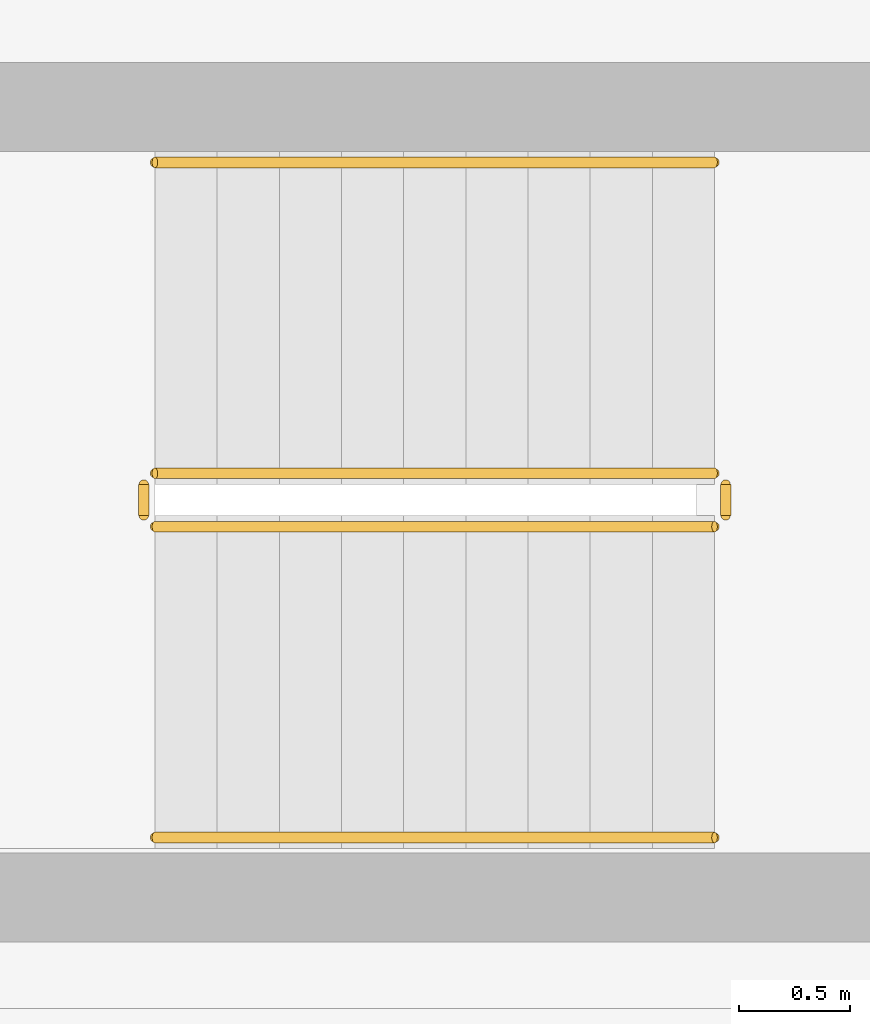
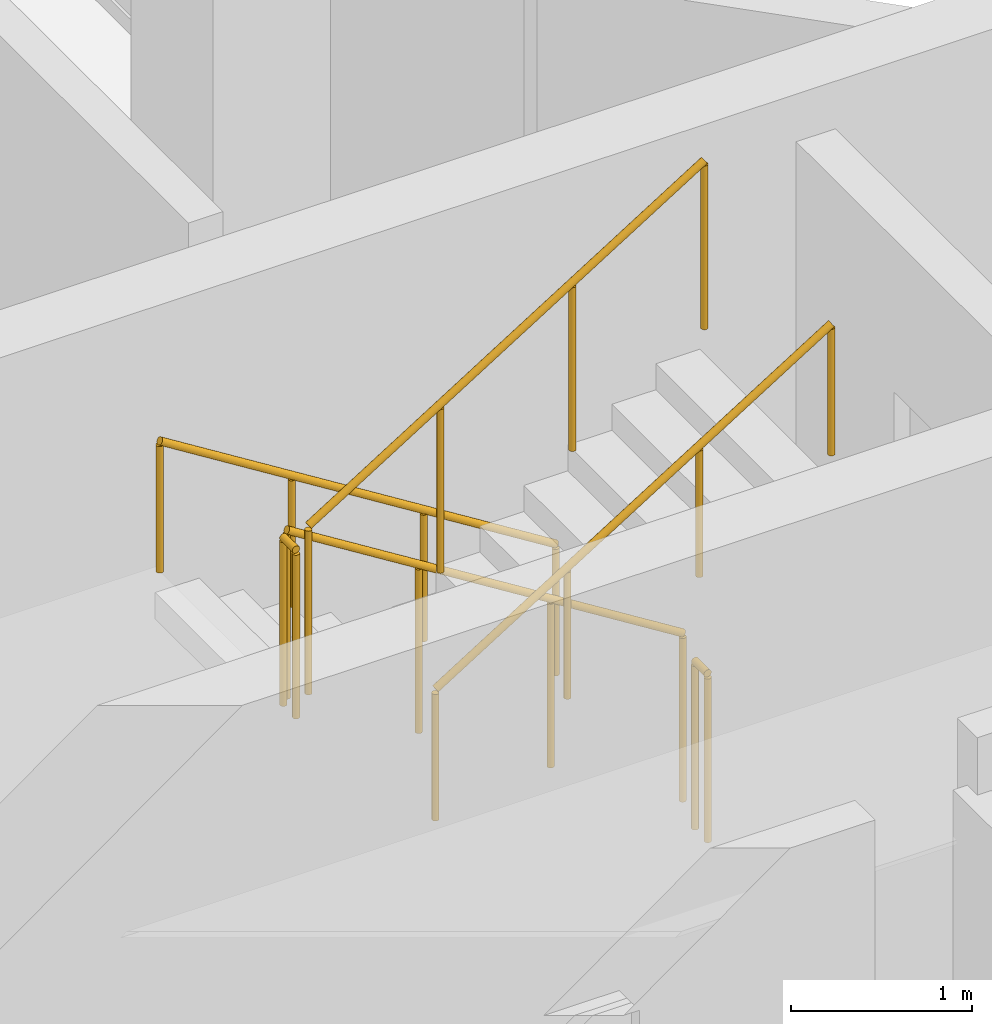
# One storey, part 11 of 14: 6 railings.
"""IFC4 building model written with IfcOpenShell, lengths in metres."""

from ifc_helpers import new_model, si_unit, derived_unit, direction, frame, origin, origin_2d, place, context, subcontext, project, spatial, circle, extrude, material, type_object, element, save


model = new_model("IFC4")

# Units and contexts
model_context = context("Model", 3, precision=1e-05, world=origin(), true_north=direction((0.0, 1.0)))
body_context = subcontext(model_context, "Body", "Model", "MODEL_VIEW")
ifc_project = project(units=[si_unit("LENGTHUNIT", "METRE"), si_unit("AREAUNIT", "SQUARE_METRE"), si_unit("VOLUMEUNIT", "CUBIC_METRE"), si_unit("PLANEANGLEUNIT", "RADIAN"), si_unit("MASSUNIT", "GRAM", prefix="KILO"), derived_unit("THERMALTRANSMITTANCEUNIT", [(si_unit("POWERUNIT", "WATT"), 1), (si_unit("LENGTHUNIT", "METRE"), -2), (si_unit("THERMODYNAMICTEMPERATUREUNIT", "KELVIN"), -1)])], contexts=[model_context])

# Site, building, storey
site_placement = place(None, origin())
site = spatial("IfcSite", under=ifc_project, at=site_placement, CompositionType="ELEMENT")
building_placement = place(site_placement, origin())
building = spatial("IfcBuilding", under=site, at=building_placement, Name="Kivonza Crest Hotel", CompositionType="ELEMENT")
storey_placement = place(building_placement, frame((0.0, 0.0, 169.5)))
storey = spatial("IfcBuildingStorey", under=building, at=storey_placement, Name="L46", CompositionType="ELEMENT", Elevation=169.5)

# Railings
ifc_material_1 = material(Name="Brushed stainless steel handrail", Category="steel")
railing_type_1 = type_object("IfcRailingType", Name="RL-HAND-900", PredefinedType="HANDRAIL", material=ifc_material_1)
railing_1_placement = place(storey_placement, frame((12.239990234375, 16.949951171875, 0.175048828125)))
element("IfcRailing", 1, at=railing_1_placement, inside=storey, type_object=railing_type_1, Name="L46 ST-T1-S stair handrail 1", PredefinedType="HANDRAIL", context=body_context, shape_type="SweptSolid", body=[
    extrude(circle(Radius=0.02392578125, at=origin_2d()), frame((0.0, 0.0, 0.8759765625), z_axis=(-0.848007534815, 0.0, 0.529984170421), x_axis=(0.0, -1.0, 0.0)), (0.0, 0.0, 1.0), 2.9716796875),
    extrude(circle(Radius=0.02099609375, at=origin_2d()), origin(), (0.0, 0.0, 1.0), 0.851806640625),
    extrude(circle(Radius=0.02099609375, at=origin_2d()), frame((-0.840087890625, 0.0, 0.52490234375)), (0.0, 0.0, 1.0), 0.851806640625),
    extrude(circle(Radius=0.02099609375, at=origin_2d()), frame((-1.679931640625, 0.0, 1.050048828125)), (0.0, 0.0, 1.0), 0.851806640625),
    extrude(circle(Radius=0.02099609375, at=origin_2d()), frame((-2.52001953125, 0.0, 1.574951171875)), (0.0, 0.0, 1.0), 0.851806640625),
])
railing_2_placement = place(storey_placement, frame((9.719970703125, 13.909912109375, 1.925048828125)))
element("IfcRailing", 2, at=railing_2_placement, inside=storey, type_object=railing_type_1, Name="L46 ST-T1-S stair handrail 2", PredefinedType="HANDRAIL", context=body_context, shape_type="SweptSolid", body=[
    extrude(circle(Radius=0.02392578125, at=origin_2d()), frame((0.0, 0.0, 0.8759765625), z_axis=(0.848007534815, 0.0, 0.529984170421), x_axis=(0.0, 1.0, 0.0)), (0.0, 0.0, 1.0), 2.9716796875),
    extrude(circle(Radius=0.02099609375, at=origin_2d()), origin(), (0.0, 0.0, 1.0), 0.851806640625),
    extrude(circle(Radius=0.02099609375, at=origin_2d()), frame((0.840087890625, 0.0, 0.52490234375)), (0.0, 0.0, 1.0), 0.851806640625),
    extrude(circle(Radius=0.02099609375, at=origin_2d()), frame((1.679931640625, 0.0, 1.050048828125)), (0.0, 0.0, 1.0), 0.851806640625),
    extrude(circle(Radius=0.02099609375, at=origin_2d()), frame((2.52001953125, 0.0, 1.574951171875)), (0.0, 0.0, 1.0), 0.851806640625),
])
ifc_material_2 = material(Name="Painted steel balustrade", Category="steel")
railing_type_2 = type_object("IfcRailingType", Name="RL-STAIR-1150", PredefinedType="BALUSTRADE", material=ifc_material_2)
railing_3_placement = place(storey_placement, frame((12.239990234375, 15.550048828125, 0.175048828125)))
element("IfcRailing", 3, at=railing_3_placement, inside=storey, type_object=railing_type_2, Name="L46 ST-T1-S stair guard 1", PredefinedType="BALUSTRADE", context=body_context, shape_type="SweptSolid", body=[
    extrude(circle(Radius=0.02392578125, at=origin_2d()), frame((0.0, 0.0, 1.1259765625), z_axis=(-0.848007534815, 0.0, 0.529984170421), x_axis=(0.0, -1.0, 0.0)), (0.0, 0.0, 1.0), 2.9716796875),
    extrude(circle(Radius=0.02099609375, at=origin_2d()), origin(), (0.0, 0.0, 1.0), 1.101806640625),
    extrude(circle(Radius=0.02099609375, at=origin_2d()), frame((-0.840087890625, 0.0, 0.52490234375)), (0.0, 0.0, 1.0), 1.101806640625),
    extrude(circle(Radius=0.02099609375, at=origin_2d()), frame((-1.679931640625, 0.0, 1.050048828125)), (0.0, 0.0, 1.0), 1.101806640625),
    extrude(circle(Radius=0.02099609375, at=origin_2d()), frame((-2.52001953125, 0.0, 1.574951171875)), (0.0, 0.0, 1.0), 1.101806640625),
])
railing_4_placement = place(storey_placement, frame((9.669921875, 15.5, 1.75)))
element("IfcRailing", 4, at=railing_4_placement, inside=storey, type_object=railing_type_2, Name="L46 ST-T1-S stair guard 2", PredefinedType="BALUSTRADE", context=body_context, shape_type="SweptSolid", body=[
    extrude(circle(Radius=0.02392578125, at=origin_2d()), frame((0.0, 0.0, 1.1259765625), z_axis=(0.0, -1.0, 0.0), x_axis=(1.0, 0.0, 0.0)), (0.0, 0.0, 1.0), 0.139892578125),
    extrude(circle(Radius=0.02099609375, at=origin_2d()), origin(), (0.0, 0.0, 1.0), 1.101806640625),
    extrude(circle(Radius=0.02099609375, at=origin_2d()), frame((0.0, -0.139892578125, 0.0)), (0.0, 0.0, 1.0), 1.101806640625),
])
railing_5_placement = place(storey_placement, frame((9.719970703125, 15.31005859375, 1.925048828125)))
element("IfcRailing", 5, at=railing_5_placement, inside=storey, type_object=railing_type_2, Name="L46 ST-T1-S stair guard 3", PredefinedType="BALUSTRADE", context=body_context, shape_type="SweptSolid", body=[
    extrude(circle(Radius=0.02392578125, at=origin_2d()), frame((0.0, 0.0, 1.1259765625), z_axis=(0.848007534815, 0.0, 0.529984170421), x_axis=(0.0, 1.0, 0.0)), (0.0, 0.0, 1.0), 2.9716796875),
    extrude(circle(Radius=0.02099609375, at=origin_2d()), origin(), (0.0, 0.0, 1.0), 1.101806640625),
    extrude(circle(Radius=0.02099609375, at=origin_2d()), frame((0.840087890625, 0.0, 0.52490234375)), (0.0, 0.0, 1.0), 1.101806640625),
    extrude(circle(Radius=0.02099609375, at=origin_2d()), frame((1.679931640625, 0.0, 1.050048828125)), (0.0, 0.0, 1.0), 1.101806640625),
    extrude(circle(Radius=0.02099609375, at=origin_2d()), frame((2.52001953125, 0.0, 1.574951171875)), (0.0, 0.0, 1.0), 1.101806640625),
])
railing_6_placement = place(storey_placement, frame((12.2900390625, 15.5, 0.0)))
element("IfcRailing", 6, at=railing_6_placement, inside=storey, type_object=railing_type_2, Name="L46 ST-T1-S stair guard 4", PredefinedType="BALUSTRADE", context=body_context, shape_type="SweptSolid", body=[
    extrude(circle(Radius=0.02392578125, at=origin_2d()), frame((0.0, 0.0, 1.1259765625), z_axis=(0.0, -1.0, 0.0), x_axis=(1.0, 0.0, 0.0)), (0.0, 0.0, 1.0), 0.139892578125),
    extrude(circle(Radius=0.02099609375, at=origin_2d()), origin(), (0.0, 0.0, 1.0), 1.101806640625),
    extrude(circle(Radius=0.02099609375, at=origin_2d()), frame((0.0, -0.139892578125, 0.0)), (0.0, 0.0, 1.0), 1.101806640625),
])

save(model, "model.ifc")
